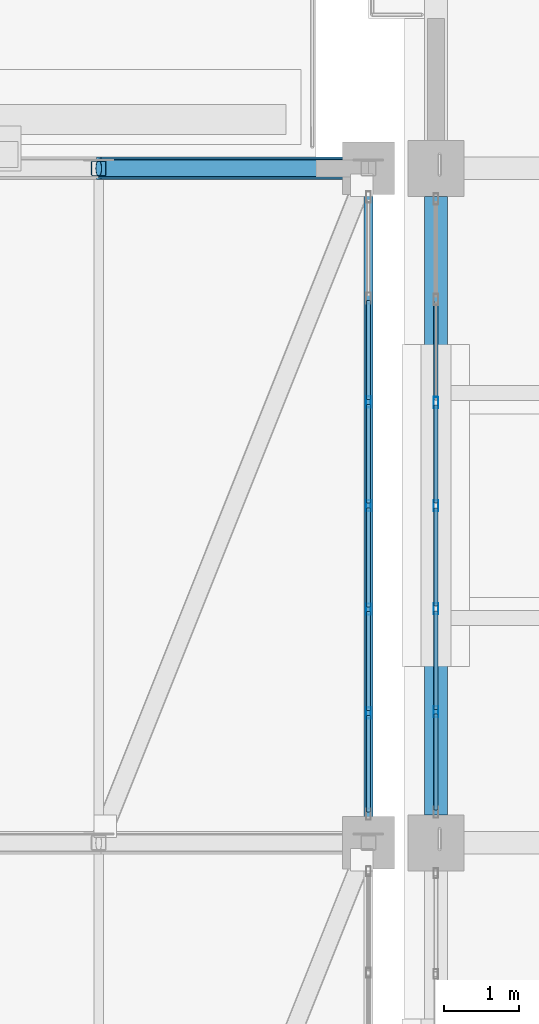
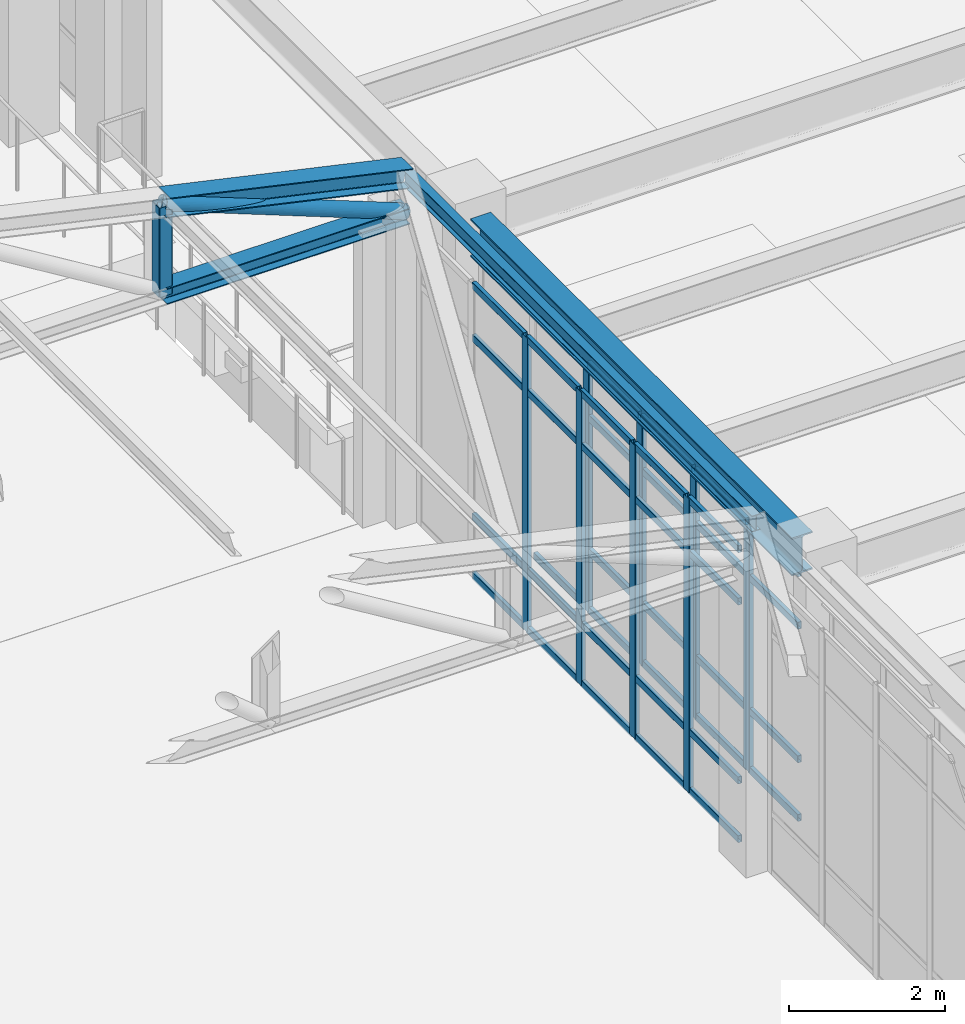
# One storey, part 63 of 139: 49 members, 2 beams, 2 elements without a shape of their own.
"""IFC4 building model written with IfcOpenShell, lengths in metres."""

from ifc_helpers import new_model, si_unit, direction, frame, origin, origin_2d, place, context, subcontext, project, spatial, hollow_rectangle, hollow_circle, i_section, extrude, material, material_profile, profile_set, type_object, element, aggregate, save


model = new_model("IFC4")

# Units and contexts
model_context = context("Model", 3, precision=1e-05, world=origin(), true_north=direction((0.0, 1.0)))
body_context = subcontext(model_context, "Body", "Model", "MODEL_VIEW")
ifc_project = project(units=[si_unit("LENGTHUNIT", "METRE"), si_unit("AREAUNIT", "SQUARE_METRE"), si_unit("VOLUMEUNIT", "CUBIC_METRE"), si_unit("PLANEANGLEUNIT", "RADIAN"), si_unit("MASSUNIT", "GRAM", prefix="KILO")], contexts=[model_context])

# Site, building, storey
site_placement = place(None, origin())
site = spatial("IfcSite", under=ifc_project, at=site_placement, CompositionType="ELEMENT")
building_placement = place(site_placement, origin())
building = spatial("IfcBuilding", under=site, at=building_placement, Name="Canglan Escarpment Cableway Terminal", CompositionType="ELEMENT")
storey_placement = place(building_placement, frame((0.0, 0.0, 14.39990234375)))
storey = spatial("IfcBuildingStorey", under=building, at=storey_placement, Name="L03", CompositionType="ELEMENT", Elevation=14.39990234375)

# Beams
ifc_material_1 = material(Name="Steel Q355C", Category="steel")
ifc_material_profile_1 = material_profile(ifc_material_1, i_section(OverallWidth=0.302001953125, OverallDepth=0.593994140625, WebThickness=0.013916015625, FlangeThickness=0.02294921875, FilletRadius=0.028076171875, at=origin_2d()), Name="HM 594x302x14x23")
ifc_profile_set_1 = profile_set([ifc_material_profile_1], Name="Steel Q355C")
beam_type_1 = type_object("IfcBeamType", Name="BM-HM594", PredefinedType="BEAM", material=ifc_profile_set_1)
beam_1_placement = place(storey_placement, frame((137.60009765625, 70.375, 4.203125), z_axis=(0.0, 1.0, 0.0), x_axis=(-1.0, 0.0, 0.0)))
element("IfcBeam", 1, at=beam_1_placement, inside=storey, type_object=beam_type_1, Name="Primary transverse girder B-07", PredefinedType="BEAM", context=body_context, shape_type="SweptSolid", body=[
    extrude(i_section(OverallWidth=0.302001953125, OverallDepth=0.593994140625, WebThickness=0.013916015625, FlangeThickness=0.02294921875, FilletRadius=0.028076171875, at=origin_2d()), origin(), (0.0, 0.0, 1.0), 8.25),
])
ifc_material_2 = material(Name="Steel Q355B", Category="steel")
ifc_material_profile_2 = material_profile(ifc_material_2, i_section(OverallWidth=0.300048828125, OverallDepth=0.300048828125, WebThickness=0.010009765625, FlangeThickness=0.014892578125, FilletRadius=0.01806640625, at=origin_2d()), Name="HW 300x300x10x15")
ifc_profile_set_2 = profile_set([ifc_material_profile_2], Name="Steel Q355B")
beam_type_2 = type_object("IfcBeamType", Name="BM-PRATT-TOP-HW300", PredefinedType="BEAM", material=ifc_profile_set_2)
beam_2_placement = place(storey_placement, frame((133.10009765625, 79.0, 6.050048828125), z_axis=(0.976182386713, 0.0, -0.216951487369), x_axis=(0.0, 1.0, 0.0)))
element("IfcBeam", 2, at=beam_2_placement, inside=storey, type_object=beam_type_2, Name="Cabin Garage ROOF TRUSS top chord PT-TC1", PredefinedType="BEAM", context=body_context, shape_type="SweptSolid", body=[
    extrude(i_section(OverallWidth=0.300048828125, OverallDepth=0.300048828125, WebThickness=0.010009765625, FlangeThickness=0.014892578125, FilletRadius=0.01806640625, at=origin_2d()), origin(), (0.0, 0.0, 1.0), 3.687744140625),
])

# Curtain wall, members
ifc_material_3 = material(Name="Anodized bronze aluminium and Low-E double glazing", Category="aluminium")
curtain_wall_type_1 = type_object("IfcCurtainWallType", Name="CW-BAY-8300x4600", PredefinedType="NOTDEFINED", material=ifc_material_3)
curtain_wall_1_placement = place(storey_placement, origin())
curtain_wall_1 = element("IfcCurtainWall", 3, at=curtain_wall_1_placement, inside=storey, type_object=curtain_wall_type_1, Name="Classical bay-between-piers glazed curtain wall CW-45", PredefinedType="NOTDEFINED")
ifc_material_4 = material(Name="Thermally broken anodized aluminium 6063-T6", Category="aluminium")
ifc_material_profile_3 = material_profile(ifc_material_4, hollow_rectangle(XDim=0.06494140625, YDim=0.14990234375, WallThickness=0.00341796875, InnerFilletRadius=0.00341796875, OuterFilletRadius=0.007080078125, at=origin_2d()), Name="ALU-MULL 65x150x3.5")
ifc_profile_set_3 = profile_set([ifc_material_profile_3], Name="Thermally broken anodized aluminium 6063-T6")
member_type_1 = type_object("IfcMemberType", Name="CWM-02", PredefinedType="MULLION", material=ifc_profile_set_3)
member_1_placement = place(storey_placement, frame((136.699951171875, 71.7333984375, 0.0), z_axis=(0.0, 0.0, 1.0), x_axis=(-1.0, 0.0, 0.0)))
member_1 = element("IfcMember", 4, at=member_1_placement, type_object=member_type_1, Name="CW-45 mullion 2", PredefinedType="MULLION", context=body_context, shape_type="SweptSolid", body=[
    extrude(hollow_rectangle(XDim=0.06494140625, YDim=0.14990234375, WallThickness=0.00341796875, InnerFilletRadius=0.00341796875, OuterFilletRadius=0.007080078125, at=origin_2d()), origin(), (0.0, 0.0, 1.0), 4.60009765625),
])
member_2_placement = place(storey_placement, frame((136.699951171875, 73.11669921875, 0.0), z_axis=(0.0, 0.0, 1.0), x_axis=(-1.0, 0.0, 0.0)))
member_2 = element("IfcMember", 5, at=member_2_placement, type_object=member_type_1, Name="CW-45 mullion 3", PredefinedType="MULLION", context=body_context, shape_type="SweptSolid", body=[
    extrude(hollow_rectangle(XDim=0.06494140625, YDim=0.14990234375, WallThickness=0.00341796875, InnerFilletRadius=0.00341796875, OuterFilletRadius=0.007080078125, at=origin_2d()), origin(), (0.0, 0.0, 1.0), 4.60009765625),
])
member_3_placement = place(storey_placement, frame((136.699951171875, 74.5, 0.0), z_axis=(0.0, 0.0, 1.0), x_axis=(-1.0, 0.0, 0.0)))
member_3 = element("IfcMember", 6, at=member_3_placement, type_object=member_type_1, Name="CW-45 mullion 4", PredefinedType="MULLION", context=body_context, shape_type="SweptSolid", body=[
    extrude(hollow_rectangle(XDim=0.06494140625, YDim=0.14990234375, WallThickness=0.00341796875, InnerFilletRadius=0.00341796875, OuterFilletRadius=0.007080078125, at=origin_2d()), origin(), (0.0, 0.0, 1.0), 4.60009765625),
])
member_4_placement = place(storey_placement, frame((136.699951171875, 75.88330078125, 0.0), z_axis=(0.0, 0.0, 1.0), x_axis=(-1.0, 0.0, 0.0)))
member_4 = element("IfcMember", 7, at=member_4_placement, type_object=member_type_1, Name="CW-45 mullion 5", PredefinedType="MULLION", context=body_context, shape_type="SweptSolid", body=[
    extrude(hollow_rectangle(XDim=0.06494140625, YDim=0.14990234375, WallThickness=0.00341796875, InnerFilletRadius=0.00341796875, OuterFilletRadius=0.007080078125, at=origin_2d()), origin(), (0.0, 0.0, 1.0), 4.60009765625),
])

curtain_wall_type_2 = type_object("IfcCurtainWallType", Name="CW-BAY-8250x3900", PredefinedType="NOTDEFINED", material=ifc_material_3)
curtain_wall_2_placement = place(storey_placement, origin())
curtain_wall_2 = element("IfcCurtainWall", 8, at=curtain_wall_2_placement, inside=storey, type_object=curtain_wall_type_2, Name="Classical bay-between-piers glazed curtain wall CW-62", PredefinedType="NOTDEFINED")
member_5_placement = place(storey_placement, frame((137.60009765625, 75.875, 0.0), z_axis=(0.0, 0.0, 1.0), x_axis=(1.0, 0.0, 0.0)))
member_5 = element("IfcMember", 9, at=member_5_placement, type_object=member_type_1, Name="CW-62 mullion 3", PredefinedType="MULLION", context=body_context, shape_type="SweptSolid", body=[
    extrude(hollow_rectangle(XDim=0.06494140625, YDim=0.14990234375, WallThickness=0.00341796875, InnerFilletRadius=0.00341796875, OuterFilletRadius=0.007080078125, at=origin_2d()), origin(), (0.0, 0.0, 1.0), 3.89111328125),
])
member_6_placement = place(storey_placement, frame((137.60009765625, 74.5, 0.0), z_axis=(0.0, 0.0, 1.0), x_axis=(1.0, 0.0, 0.0)))
member_6 = element("IfcMember", 10, at=member_6_placement, type_object=member_type_1, Name="CW-62 mullion 4", PredefinedType="MULLION", context=body_context, shape_type="SweptSolid", body=[
    extrude(hollow_rectangle(XDim=0.06494140625, YDim=0.14990234375, WallThickness=0.00341796875, InnerFilletRadius=0.00341796875, OuterFilletRadius=0.007080078125, at=origin_2d()), origin(), (0.0, 0.0, 1.0), 3.89111328125),
])
member_7_placement = place(storey_placement, frame((137.60009765625, 73.125, 0.0), z_axis=(0.0, 0.0, 1.0), x_axis=(1.0, 0.0, 0.0)))
member_7 = element("IfcMember", 11, at=member_7_placement, type_object=member_type_1, Name="CW-62 mullion 5", PredefinedType="MULLION", context=body_context, shape_type="SweptSolid", body=[
    extrude(hollow_rectangle(XDim=0.06494140625, YDim=0.14990234375, WallThickness=0.00341796875, InnerFilletRadius=0.00341796875, OuterFilletRadius=0.007080078125, at=origin_2d()), origin(), (0.0, 0.0, 1.0), 3.89111328125),
])
member_8_placement = place(storey_placement, frame((137.60009765625, 71.75, 0.0), z_axis=(0.0, 0.0, 1.0), x_axis=(1.0, 0.0, 0.0)))
member_8 = element("IfcMember", 12, at=member_8_placement, type_object=member_type_1, Name="CW-62 mullion 6", PredefinedType="MULLION", context=body_context, shape_type="SweptSolid", body=[
    extrude(hollow_rectangle(XDim=0.06494140625, YDim=0.14990234375, WallThickness=0.00341796875, InnerFilletRadius=0.00341796875, OuterFilletRadius=0.007080078125, at=origin_2d()), origin(), (0.0, 0.0, 1.0), 3.89111328125),
])

# Member
ifc_material_profile_4 = material_profile(ifc_material_4, hollow_rectangle(XDim=0.06005859375, YDim=0.110107421875, WallThickness=0.0029296875, InnerFilletRadius=0.0029296875, OuterFilletRadius=0.006103515625, at=origin_2d()), Name="ALU-TRAN 60x110x3")
ifc_profile_set_4 = profile_set([ifc_material_profile_4], Name="Thermally broken anodized aluminium 6063-T6")
member_type_2 = type_object("IfcMemberType", Name="CWT-02", PredefinedType="USERDEFINED", material=ifc_profile_set_4)
member_9_placement = place(storey_placement, frame((136.699951171875, 70.4150390625, 0.030029296875), z_axis=(0.0, 1.0, 0.0), x_axis=(-1.0, 0.0, 0.0)))
member_9 = element("IfcMember", 13, at=member_9_placement, type_object=member_type_2, Name="CW-45 transom 1.1", ObjectType="TRANSOM", PredefinedType="USERDEFINED", context=body_context, shape_type="SweptSolid", body=[
    extrude(hollow_rectangle(XDim=0.06005859375, YDim=0.110107421875, WallThickness=0.0029296875, InnerFilletRadius=0.0029296875, OuterFilletRadius=0.006103515625, at=origin_2d()), origin(), (0.0, 0.0, 1.0), 1.285888671875),
])

member_10_placement = place(storey_placement, frame((136.699951171875, 70.4150390625, 0.9501953125), z_axis=(0.0, 1.0, 0.0), x_axis=(-1.0, 0.0, 0.0)))
member_10 = element("IfcMember", 14, at=member_10_placement, type_object=member_type_2, Name="CW-45 transom 1.2", ObjectType="TRANSOM", PredefinedType="USERDEFINED", context=body_context, shape_type="SweptSolid", body=[
    extrude(hollow_rectangle(XDim=0.06005859375, YDim=0.110107421875, WallThickness=0.0029296875, InnerFilletRadius=0.0029296875, OuterFilletRadius=0.006103515625, at=origin_2d()), origin(), (0.0, 0.0, 1.0), 1.285888671875),
])

member_11_placement = place(storey_placement, frame((136.699951171875, 70.4150390625, 3.75), z_axis=(0.0, 1.0, 0.0), x_axis=(-1.0, 0.0, 0.0)))
member_11 = element("IfcMember", 15, at=member_11_placement, type_object=member_type_2, Name="CW-45 transom 1.3", ObjectType="TRANSOM", PredefinedType="USERDEFINED", context=body_context, shape_type="SweptSolid", body=[
    extrude(hollow_rectangle(XDim=0.06005859375, YDim=0.110107421875, WallThickness=0.0029296875, InnerFilletRadius=0.0029296875, OuterFilletRadius=0.006103515625, at=origin_2d()), origin(), (0.0, 0.0, 1.0), 1.285888671875),
])

member_12_placement = place(storey_placement, frame((136.699951171875, 70.4150390625, 4.570068359375), z_axis=(0.0, 1.0, 0.0), x_axis=(-1.0, 0.0, 0.0)))
member_12 = element("IfcMember", 16, at=member_12_placement, type_object=member_type_2, Name="CW-45 transom 1.4", ObjectType="TRANSOM", PredefinedType="USERDEFINED", context=body_context, shape_type="SweptSolid", body=[
    extrude(hollow_rectangle(XDim=0.06005859375, YDim=0.110107421875, WallThickness=0.0029296875, InnerFilletRadius=0.0029296875, OuterFilletRadius=0.006103515625, at=origin_2d()), origin(), (0.0, 0.0, 1.0), 1.285888671875),
])

member_13_placement = place(storey_placement, frame((136.699951171875, 71.765869140625, 0.030029296875), z_axis=(0.0, 1.0, 0.0), x_axis=(-1.0, 0.0, 0.0)))
member_13 = element("IfcMember", 17, at=member_13_placement, type_object=member_type_2, Name="CW-45 transom 2.1", ObjectType="TRANSOM", PredefinedType="USERDEFINED", context=body_context, shape_type="SweptSolid", body=[
    extrude(hollow_rectangle(XDim=0.06005859375, YDim=0.110107421875, WallThickness=0.0029296875, InnerFilletRadius=0.0029296875, OuterFilletRadius=0.006103515625, at=origin_2d()), origin(), (0.0, 0.0, 1.0), 1.318359375),
])

member_14_placement = place(storey_placement, frame((136.699951171875, 71.765869140625, 0.9501953125), z_axis=(0.0, 1.0, 0.0), x_axis=(-1.0, 0.0, 0.0)))
member_14 = element("IfcMember", 18, at=member_14_placement, type_object=member_type_2, Name="CW-45 transom 2.2", ObjectType="TRANSOM", PredefinedType="USERDEFINED", context=body_context, shape_type="SweptSolid", body=[
    extrude(hollow_rectangle(XDim=0.06005859375, YDim=0.110107421875, WallThickness=0.0029296875, InnerFilletRadius=0.0029296875, OuterFilletRadius=0.006103515625, at=origin_2d()), origin(), (0.0, 0.0, 1.0), 1.318359375),
])

member_15_placement = place(storey_placement, frame((136.699951171875, 71.765869140625, 3.75), z_axis=(0.0, 1.0, 0.0), x_axis=(-1.0, 0.0, 0.0)))
member_15 = element("IfcMember", 19, at=member_15_placement, type_object=member_type_2, Name="CW-45 transom 2.3", ObjectType="TRANSOM", PredefinedType="USERDEFINED", context=body_context, shape_type="SweptSolid", body=[
    extrude(hollow_rectangle(XDim=0.06005859375, YDim=0.110107421875, WallThickness=0.0029296875, InnerFilletRadius=0.0029296875, OuterFilletRadius=0.006103515625, at=origin_2d()), origin(), (0.0, 0.0, 1.0), 1.318359375),
])

member_16_placement = place(storey_placement, frame((136.699951171875, 71.765869140625, 4.570068359375), z_axis=(0.0, 1.0, 0.0), x_axis=(-1.0, 0.0, 0.0)))
member_16 = element("IfcMember", 20, at=member_16_placement, type_object=member_type_2, Name="CW-45 transom 2.4", ObjectType="TRANSOM", PredefinedType="USERDEFINED", context=body_context, shape_type="SweptSolid", body=[
    extrude(hollow_rectangle(XDim=0.06005859375, YDim=0.110107421875, WallThickness=0.0029296875, InnerFilletRadius=0.0029296875, OuterFilletRadius=0.006103515625, at=origin_2d()), origin(), (0.0, 0.0, 1.0), 1.318359375),
])

member_17_placement = place(storey_placement, frame((136.699951171875, 73.149169921875, 0.030029296875), z_axis=(0.0, 1.0, 0.0), x_axis=(-1.0, 0.0, 0.0)))
member_17 = element("IfcMember", 21, at=member_17_placement, type_object=member_type_2, Name="CW-45 transom 3.1", ObjectType="TRANSOM", PredefinedType="USERDEFINED", context=body_context, shape_type="SweptSolid", body=[
    extrude(hollow_rectangle(XDim=0.06005859375, YDim=0.110107421875, WallThickness=0.0029296875, InnerFilletRadius=0.0029296875, OuterFilletRadius=0.006103515625, at=origin_2d()), origin(), (0.0, 0.0, 1.0), 1.318359375),
])

member_18_placement = place(storey_placement, frame((136.699951171875, 73.149169921875, 0.9501953125), z_axis=(0.0, 1.0, 0.0), x_axis=(-1.0, 0.0, 0.0)))
member_18 = element("IfcMember", 22, at=member_18_placement, type_object=member_type_2, Name="CW-45 transom 3.2", ObjectType="TRANSOM", PredefinedType="USERDEFINED", context=body_context, shape_type="SweptSolid", body=[
    extrude(hollow_rectangle(XDim=0.06005859375, YDim=0.110107421875, WallThickness=0.0029296875, InnerFilletRadius=0.0029296875, OuterFilletRadius=0.006103515625, at=origin_2d()), origin(), (0.0, 0.0, 1.0), 1.318359375),
])

member_19_placement = place(storey_placement, frame((136.699951171875, 73.149169921875, 3.75), z_axis=(0.0, 1.0, 0.0), x_axis=(-1.0, 0.0, 0.0)))
member_19 = element("IfcMember", 23, at=member_19_placement, type_object=member_type_2, Name="CW-45 transom 3.3", ObjectType="TRANSOM", PredefinedType="USERDEFINED", context=body_context, shape_type="SweptSolid", body=[
    extrude(hollow_rectangle(XDim=0.06005859375, YDim=0.110107421875, WallThickness=0.0029296875, InnerFilletRadius=0.0029296875, OuterFilletRadius=0.006103515625, at=origin_2d()), origin(), (0.0, 0.0, 1.0), 1.318359375),
])

member_20_placement = place(storey_placement, frame((136.699951171875, 73.149169921875, 4.570068359375), z_axis=(0.0, 1.0, 0.0), x_axis=(-1.0, 0.0, 0.0)))
member_20 = element("IfcMember", 24, at=member_20_placement, type_object=member_type_2, Name="CW-45 transom 3.4", ObjectType="TRANSOM", PredefinedType="USERDEFINED", context=body_context, shape_type="SweptSolid", body=[
    extrude(hollow_rectangle(XDim=0.06005859375, YDim=0.110107421875, WallThickness=0.0029296875, InnerFilletRadius=0.0029296875, OuterFilletRadius=0.006103515625, at=origin_2d()), origin(), (0.0, 0.0, 1.0), 1.318359375),
])

member_21_placement = place(storey_placement, frame((136.699951171875, 74.532470703125, 0.030029296875), z_axis=(0.0, 1.0, 0.0), x_axis=(-1.0, 0.0, 0.0)))
member_21 = element("IfcMember", 25, at=member_21_placement, type_object=member_type_2, Name="CW-45 transom 4.1", ObjectType="TRANSOM", PredefinedType="USERDEFINED", context=body_context, shape_type="SweptSolid", body=[
    extrude(hollow_rectangle(XDim=0.06005859375, YDim=0.110107421875, WallThickness=0.0029296875, InnerFilletRadius=0.0029296875, OuterFilletRadius=0.006103515625, at=origin_2d()), origin(), (0.0, 0.0, 1.0), 1.318359375),
])

member_22_placement = place(storey_placement, frame((136.699951171875, 74.532470703125, 0.9501953125), z_axis=(0.0, 1.0, 0.0), x_axis=(-1.0, 0.0, 0.0)))
member_22 = element("IfcMember", 26, at=member_22_placement, type_object=member_type_2, Name="CW-45 transom 4.2", ObjectType="TRANSOM", PredefinedType="USERDEFINED", context=body_context, shape_type="SweptSolid", body=[
    extrude(hollow_rectangle(XDim=0.06005859375, YDim=0.110107421875, WallThickness=0.0029296875, InnerFilletRadius=0.0029296875, OuterFilletRadius=0.006103515625, at=origin_2d()), origin(), (0.0, 0.0, 1.0), 1.318359375),
])

member_23_placement = place(storey_placement, frame((136.699951171875, 74.532470703125, 3.75), z_axis=(0.0, 1.0, 0.0), x_axis=(-1.0, 0.0, 0.0)))
member_23 = element("IfcMember", 27, at=member_23_placement, type_object=member_type_2, Name="CW-45 transom 4.3", ObjectType="TRANSOM", PredefinedType="USERDEFINED", context=body_context, shape_type="SweptSolid", body=[
    extrude(hollow_rectangle(XDim=0.06005859375, YDim=0.110107421875, WallThickness=0.0029296875, InnerFilletRadius=0.0029296875, OuterFilletRadius=0.006103515625, at=origin_2d()), origin(), (0.0, 0.0, 1.0), 1.318359375),
])

member_24_placement = place(storey_placement, frame((136.699951171875, 74.532470703125, 4.570068359375), z_axis=(0.0, 1.0, 0.0), x_axis=(-1.0, 0.0, 0.0)))
member_24 = element("IfcMember", 28, at=member_24_placement, type_object=member_type_2, Name="CW-45 transom 4.4", ObjectType="TRANSOM", PredefinedType="USERDEFINED", context=body_context, shape_type="SweptSolid", body=[
    extrude(hollow_rectangle(XDim=0.06005859375, YDim=0.110107421875, WallThickness=0.0029296875, InnerFilletRadius=0.0029296875, OuterFilletRadius=0.006103515625, at=origin_2d()), origin(), (0.0, 0.0, 1.0), 1.318359375),
])

member_25_placement = place(storey_placement, frame((136.699951171875, 75.915771484375, 0.030029296875), z_axis=(0.0, 1.0, 0.0), x_axis=(-1.0, 0.0, 0.0)))
member_25 = element("IfcMember", 29, at=member_25_placement, type_object=member_type_2, Name="CW-45 transom 5.1", ObjectType="TRANSOM", PredefinedType="USERDEFINED", context=body_context, shape_type="SweptSolid", body=[
    extrude(hollow_rectangle(XDim=0.06005859375, YDim=0.110107421875, WallThickness=0.0029296875, InnerFilletRadius=0.0029296875, OuterFilletRadius=0.006103515625, at=origin_2d()), origin(), (0.0, 0.0, 1.0), 1.318359375),
])

member_26_placement = place(storey_placement, frame((136.699951171875, 75.915771484375, 0.9501953125), z_axis=(0.0, 1.0, 0.0), x_axis=(-1.0, 0.0, 0.0)))
member_26 = element("IfcMember", 30, at=member_26_placement, type_object=member_type_2, Name="CW-45 transom 5.2", ObjectType="TRANSOM", PredefinedType="USERDEFINED", context=body_context, shape_type="SweptSolid", body=[
    extrude(hollow_rectangle(XDim=0.06005859375, YDim=0.110107421875, WallThickness=0.0029296875, InnerFilletRadius=0.0029296875, OuterFilletRadius=0.006103515625, at=origin_2d()), origin(), (0.0, 0.0, 1.0), 1.318359375),
])

member_27_placement = place(storey_placement, frame((136.699951171875, 75.915771484375, 3.75), z_axis=(0.0, 1.0, 0.0), x_axis=(-1.0, 0.0, 0.0)))
member_27 = element("IfcMember", 31, at=member_27_placement, type_object=member_type_2, Name="CW-45 transom 5.3", ObjectType="TRANSOM", PredefinedType="USERDEFINED", context=body_context, shape_type="SweptSolid", body=[
    extrude(hollow_rectangle(XDim=0.06005859375, YDim=0.110107421875, WallThickness=0.0029296875, InnerFilletRadius=0.0029296875, OuterFilletRadius=0.006103515625, at=origin_2d()), origin(), (0.0, 0.0, 1.0), 1.318359375),
])

member_28_placement = place(storey_placement, frame((136.699951171875, 75.915771484375, 4.570068359375), z_axis=(0.0, 1.0, 0.0), x_axis=(-1.0, 0.0, 0.0)))
member_28 = element("IfcMember", 32, at=member_28_placement, type_object=member_type_2, Name="CW-45 transom 5.4", ObjectType="TRANSOM", PredefinedType="USERDEFINED", context=body_context, shape_type="SweptSolid", body=[
    extrude(hollow_rectangle(XDim=0.06005859375, YDim=0.110107421875, WallThickness=0.0029296875, InnerFilletRadius=0.0029296875, OuterFilletRadius=0.006103515625, at=origin_2d()), origin(), (0.0, 0.0, 1.0), 1.318359375),
])

aggregate(curtain_wall_1, [member_1, member_2, member_3, member_4, member_9, member_10, member_11, member_12, member_13, member_14, member_15, member_16, member_17, member_18, member_19, member_20, member_21, member_22, member_23, member_24, member_25, member_26, member_27, member_28])

member_29_placement = place(storey_placement, frame((137.60009765625, 77.217529296875, 0.030029296875), z_axis=(0.0, -1.0, 0.0), x_axis=(1.0, 0.0, 0.0)))
member_29 = element("IfcMember", 33, at=member_29_placement, type_object=member_type_2, Name="CW-62 transom 2.1", ObjectType="TRANSOM", PredefinedType="USERDEFINED", context=body_context, shape_type="SweptSolid", body=[
    extrude(hollow_rectangle(XDim=0.06005859375, YDim=0.110107421875, WallThickness=0.0029296875, InnerFilletRadius=0.0029296875, OuterFilletRadius=0.006103515625, at=origin_2d()), origin(), (0.0, 0.0, 1.0), 1.31005859375),
])

member_30_placement = place(storey_placement, frame((137.60009765625, 75.842529296875, 0.030029296875), z_axis=(0.0, -1.0, 0.0), x_axis=(1.0, 0.0, 0.0)))
member_30 = element("IfcMember", 34, at=member_30_placement, type_object=member_type_2, Name="CW-62 transom 3.1", ObjectType="TRANSOM", PredefinedType="USERDEFINED", context=body_context, shape_type="SweptSolid", body=[
    extrude(hollow_rectangle(XDim=0.06005859375, YDim=0.110107421875, WallThickness=0.0029296875, InnerFilletRadius=0.0029296875, OuterFilletRadius=0.006103515625, at=origin_2d()), origin(), (0.0, 0.0, 1.0), 1.31005859375),
])

member_31_placement = place(storey_placement, frame((137.60009765625, 75.842529296875, 0.9501953125), z_axis=(0.0, -1.0, 0.0), x_axis=(1.0, 0.0, 0.0)))
member_31 = element("IfcMember", 35, at=member_31_placement, type_object=member_type_2, Name="CW-62 transom 3.2", ObjectType="TRANSOM", PredefinedType="USERDEFINED", context=body_context, shape_type="SweptSolid", body=[
    extrude(hollow_rectangle(XDim=0.06005859375, YDim=0.110107421875, WallThickness=0.0029296875, InnerFilletRadius=0.0029296875, OuterFilletRadius=0.006103515625, at=origin_2d()), origin(), (0.0, 0.0, 1.0), 1.31005859375),
])

member_32_placement = place(storey_placement, frame((137.60009765625, 75.842529296875, 3.041015625), z_axis=(0.0, -1.0, 0.0), x_axis=(1.0, 0.0, 0.0)))
member_32 = element("IfcMember", 36, at=member_32_placement, type_object=member_type_2, Name="CW-62 transom 3.3", ObjectType="TRANSOM", PredefinedType="USERDEFINED", context=body_context, shape_type="SweptSolid", body=[
    extrude(hollow_rectangle(XDim=0.06005859375, YDim=0.110107421875, WallThickness=0.0029296875, InnerFilletRadius=0.0029296875, OuterFilletRadius=0.006103515625, at=origin_2d()), origin(), (0.0, 0.0, 1.0), 1.31005859375),
])

member_33_placement = place(storey_placement, frame((137.60009765625, 75.842529296875, 3.861083984375), z_axis=(0.0, -1.0, 0.0), x_axis=(1.0, 0.0, 0.0)))
member_33 = element("IfcMember", 37, at=member_33_placement, type_object=member_type_2, Name="CW-62 transom 3.4", ObjectType="TRANSOM", PredefinedType="USERDEFINED", context=body_context, shape_type="SweptSolid", body=[
    extrude(hollow_rectangle(XDim=0.06005859375, YDim=0.110107421875, WallThickness=0.0029296875, InnerFilletRadius=0.0029296875, OuterFilletRadius=0.006103515625, at=origin_2d()), origin(), (0.0, 0.0, 1.0), 1.31005859375),
])

member_34_placement = place(storey_placement, frame((137.60009765625, 74.467529296875, 0.030029296875), z_axis=(0.0, -1.0, 0.0), x_axis=(1.0, 0.0, 0.0)))
member_34 = element("IfcMember", 38, at=member_34_placement, type_object=member_type_2, Name="CW-62 transom 4.1", ObjectType="TRANSOM", PredefinedType="USERDEFINED", context=body_context, shape_type="SweptSolid", body=[
    extrude(hollow_rectangle(XDim=0.06005859375, YDim=0.110107421875, WallThickness=0.0029296875, InnerFilletRadius=0.0029296875, OuterFilletRadius=0.006103515625, at=origin_2d()), origin(), (0.0, 0.0, 1.0), 1.31005859375),
])

member_35_placement = place(storey_placement, frame((137.60009765625, 74.467529296875, 0.9501953125), z_axis=(0.0, -1.0, 0.0), x_axis=(1.0, 0.0, 0.0)))
member_35 = element("IfcMember", 39, at=member_35_placement, type_object=member_type_2, Name="CW-62 transom 4.2", ObjectType="TRANSOM", PredefinedType="USERDEFINED", context=body_context, shape_type="SweptSolid", body=[
    extrude(hollow_rectangle(XDim=0.06005859375, YDim=0.110107421875, WallThickness=0.0029296875, InnerFilletRadius=0.0029296875, OuterFilletRadius=0.006103515625, at=origin_2d()), origin(), (0.0, 0.0, 1.0), 1.31005859375),
])

member_36_placement = place(storey_placement, frame((137.60009765625, 74.467529296875, 3.041015625), z_axis=(0.0, -1.0, 0.0), x_axis=(1.0, 0.0, 0.0)))
member_36 = element("IfcMember", 40, at=member_36_placement, type_object=member_type_2, Name="CW-62 transom 4.3", ObjectType="TRANSOM", PredefinedType="USERDEFINED", context=body_context, shape_type="SweptSolid", body=[
    extrude(hollow_rectangle(XDim=0.06005859375, YDim=0.110107421875, WallThickness=0.0029296875, InnerFilletRadius=0.0029296875, OuterFilletRadius=0.006103515625, at=origin_2d()), origin(), (0.0, 0.0, 1.0), 1.31005859375),
])

member_37_placement = place(storey_placement, frame((137.60009765625, 74.467529296875, 3.861083984375), z_axis=(0.0, -1.0, 0.0), x_axis=(1.0, 0.0, 0.0)))
member_37 = element("IfcMember", 41, at=member_37_placement, type_object=member_type_2, Name="CW-62 transom 4.4", ObjectType="TRANSOM", PredefinedType="USERDEFINED", context=body_context, shape_type="SweptSolid", body=[
    extrude(hollow_rectangle(XDim=0.06005859375, YDim=0.110107421875, WallThickness=0.0029296875, InnerFilletRadius=0.0029296875, OuterFilletRadius=0.006103515625, at=origin_2d()), origin(), (0.0, 0.0, 1.0), 1.31005859375),
])

member_38_placement = place(storey_placement, frame((137.60009765625, 73.092529296875, 0.030029296875), z_axis=(0.0, -1.0, 0.0), x_axis=(1.0, 0.0, 0.0)))
member_38 = element("IfcMember", 42, at=member_38_placement, type_object=member_type_2, Name="CW-62 transom 5.1", ObjectType="TRANSOM", PredefinedType="USERDEFINED", context=body_context, shape_type="SweptSolid", body=[
    extrude(hollow_rectangle(XDim=0.06005859375, YDim=0.110107421875, WallThickness=0.0029296875, InnerFilletRadius=0.0029296875, OuterFilletRadius=0.006103515625, at=origin_2d()), origin(), (0.0, 0.0, 1.0), 1.31005859375),
])

member_39_placement = place(storey_placement, frame((137.60009765625, 73.092529296875, 0.9501953125), z_axis=(0.0, -1.0, 0.0), x_axis=(1.0, 0.0, 0.0)))
member_39 = element("IfcMember", 43, at=member_39_placement, type_object=member_type_2, Name="CW-62 transom 5.2", ObjectType="TRANSOM", PredefinedType="USERDEFINED", context=body_context, shape_type="SweptSolid", body=[
    extrude(hollow_rectangle(XDim=0.06005859375, YDim=0.110107421875, WallThickness=0.0029296875, InnerFilletRadius=0.0029296875, OuterFilletRadius=0.006103515625, at=origin_2d()), origin(), (0.0, 0.0, 1.0), 1.31005859375),
])

member_40_placement = place(storey_placement, frame((137.60009765625, 73.092529296875, 3.041015625), z_axis=(0.0, -1.0, 0.0), x_axis=(1.0, 0.0, 0.0)))
member_40 = element("IfcMember", 44, at=member_40_placement, type_object=member_type_2, Name="CW-62 transom 5.3", ObjectType="TRANSOM", PredefinedType="USERDEFINED", context=body_context, shape_type="SweptSolid", body=[
    extrude(hollow_rectangle(XDim=0.06005859375, YDim=0.110107421875, WallThickness=0.0029296875, InnerFilletRadius=0.0029296875, OuterFilletRadius=0.006103515625, at=origin_2d()), origin(), (0.0, 0.0, 1.0), 1.31005859375),
])

member_41_placement = place(storey_placement, frame((137.60009765625, 73.092529296875, 3.861083984375), z_axis=(0.0, -1.0, 0.0), x_axis=(1.0, 0.0, 0.0)))
member_41 = element("IfcMember", 45, at=member_41_placement, type_object=member_type_2, Name="CW-62 transom 5.4", ObjectType="TRANSOM", PredefinedType="USERDEFINED", context=body_context, shape_type="SweptSolid", body=[
    extrude(hollow_rectangle(XDim=0.06005859375, YDim=0.110107421875, WallThickness=0.0029296875, InnerFilletRadius=0.0029296875, OuterFilletRadius=0.006103515625, at=origin_2d()), origin(), (0.0, 0.0, 1.0), 1.31005859375),
])

member_42_placement = place(storey_placement, frame((137.60009765625, 71.717529296875, 0.030029296875), z_axis=(0.0, -1.0, 0.0), x_axis=(1.0, 0.0, 0.0)))
member_42 = element("IfcMember", 46, at=member_42_placement, type_object=member_type_2, Name="CW-62 transom 6.1", ObjectType="TRANSOM", PredefinedType="USERDEFINED", context=body_context, shape_type="SweptSolid", body=[
    extrude(hollow_rectangle(XDim=0.06005859375, YDim=0.110107421875, WallThickness=0.0029296875, InnerFilletRadius=0.0029296875, OuterFilletRadius=0.006103515625, at=origin_2d()), origin(), (0.0, 0.0, 1.0), 1.277587890625),
])

member_43_placement = place(storey_placement, frame((137.60009765625, 71.717529296875, 0.9501953125), z_axis=(0.0, -1.0, 0.0), x_axis=(1.0, 0.0, 0.0)))
member_43 = element("IfcMember", 47, at=member_43_placement, type_object=member_type_2, Name="CW-62 transom 6.2", ObjectType="TRANSOM", PredefinedType="USERDEFINED", context=body_context, shape_type="SweptSolid", body=[
    extrude(hollow_rectangle(XDim=0.06005859375, YDim=0.110107421875, WallThickness=0.0029296875, InnerFilletRadius=0.0029296875, OuterFilletRadius=0.006103515625, at=origin_2d()), origin(), (0.0, 0.0, 1.0), 1.277587890625),
])

member_44_placement = place(storey_placement, frame((137.60009765625, 71.717529296875, 3.041015625), z_axis=(0.0, -1.0, 0.0), x_axis=(1.0, 0.0, 0.0)))
member_44 = element("IfcMember", 48, at=member_44_placement, type_object=member_type_2, Name="CW-62 transom 6.3", ObjectType="TRANSOM", PredefinedType="USERDEFINED", context=body_context, shape_type="SweptSolid", body=[
    extrude(hollow_rectangle(XDim=0.06005859375, YDim=0.110107421875, WallThickness=0.0029296875, InnerFilletRadius=0.0029296875, OuterFilletRadius=0.006103515625, at=origin_2d()), origin(), (0.0, 0.0, 1.0), 1.277587890625),
])

member_45_placement = place(storey_placement, frame((137.60009765625, 71.717529296875, 3.861083984375), z_axis=(0.0, -1.0, 0.0), x_axis=(1.0, 0.0, 0.0)))
member_45 = element("IfcMember", 49, at=member_45_placement, type_object=member_type_2, Name="CW-62 transom 6.4", ObjectType="TRANSOM", PredefinedType="USERDEFINED", context=body_context, shape_type="SweptSolid", body=[
    extrude(hollow_rectangle(XDim=0.06005859375, YDim=0.110107421875, WallThickness=0.0029296875, InnerFilletRadius=0.0029296875, OuterFilletRadius=0.006103515625, at=origin_2d()), origin(), (0.0, 0.0, 1.0), 1.277587890625),
])

aggregate(curtain_wall_2, [member_5, member_6, member_7, member_8, member_29, member_30, member_31, member_32, member_33, member_34, member_35, member_36, member_37, member_38, member_39, member_40, member_41, member_42, member_43, member_44, member_45])

# Members
ifc_material_profile_5 = material_profile(ifc_material_2, i_section(OverallWidth=0.125, OverallDepth=0.25, WebThickness=0.006103515625, FlangeThickness=0.009033203125, FilletRadius=0.011962890625, at=origin_2d()), Name="HN 250x125x6x9")
ifc_profile_set_5 = profile_set([ifc_material_profile_5], Name="Steel Q355B")
member_type_3 = type_object("IfcMemberType", Name="MB-GARAGE-PUR-HN250", PredefinedType="PURLIN", material=ifc_profile_set_5)
member_46_placement = place(storey_placement, frame((136.699951171875, 70.0, 5.22998046875), z_axis=(0.0, 1.0, 0.0), x_axis=(-1.0, 0.0, 0.0)))
element("IfcMember", 50, at=member_46_placement, inside=storey, type_object=member_type_3, Name="Cabin Garage roof purlin PR-02", PredefinedType="PURLIN", context=body_context, shape_type="SweptSolid", body=[
    extrude(i_section(OverallWidth=0.125, OverallDepth=0.25, WebThickness=0.006103515625, FlangeThickness=0.009033203125, FilletRadius=0.011962890625, at=origin_2d()), origin(), (0.0, 0.0, 1.0), 9.0),
])
ifc_material_profile_6 = material_profile(ifc_material_2, i_section(OverallWidth=0.25, OverallDepth=0.25, WebThickness=0.009033203125, FlangeThickness=0.013916015625, FilletRadius=0.01611328125, at=origin_2d()), Name="HW 250x250x9x14")
ifc_profile_set_6 = profile_set([ifc_material_profile_6], Name="Steel Q355B")
member_type_4 = type_object("IfcMemberType", Name="MB-PRATT-BOT-HW250", PredefinedType="CHORD", material=ifc_profile_set_6)
member_47_placement = place(storey_placement, frame((133.10009765625, 79.0, 4.650146484375), z_axis=(1.0, 0.0, 0.0), x_axis=(0.0, 1.0, 0.0)))
element("IfcMember", 51, at=member_47_placement, inside=storey, type_object=member_type_4, Name="Cabin Garage ROOF TRUSS bottom chord PT-BC1", PredefinedType="CHORD", context=body_context, shape_type="SweptSolid", body=[
    extrude(i_section(OverallWidth=0.25, OverallDepth=0.25, WebThickness=0.009033203125, FlangeThickness=0.013916015625, FilletRadius=0.01611328125, at=origin_2d()), origin(), (0.0, 0.0, 1.0), 3.599853515625),
])
ifc_material_profile_7 = material_profile(ifc_material_2, hollow_circle(Radius=0.109619140625, WallThickness=0.008056640625, at=origin_2d()), Name="CHS 219.1x8")
ifc_profile_set_7 = profile_set([ifc_material_profile_7], Name="Steel Q355B")
member_type_5 = type_object("IfcMemberType", Name="MB-PRATT-DIAG-CHS219", PredefinedType="BRACE", material=ifc_profile_set_7)
member_48_placement = place(storey_placement, frame((133.10009765625, 79.0, 6.050048828125), z_axis=(0.932008230148, 0.0, -0.36243711032), x_axis=(0.0, 1.0, 0.0)))
element("IfcMember", 52, at=member_48_placement, inside=storey, type_object=member_type_5, Name="Cabin Garage ROOF TRUSS diagonal PT-DG1", PredefinedType="BRACE", context=body_context, shape_type="SweptSolid", body=[
    extrude(hollow_circle(Radius=0.109619140625, WallThickness=0.008056640625, at=origin_2d()), origin(), (0.0, 0.0, 1.0), 3.862548828125),
])
ifc_material_profile_8 = material_profile(ifc_material_2, hollow_rectangle(XDim=0.199951171875, YDim=0.199951171875, WallThickness=0.008056640625, InnerFilletRadius=0.008056640625, OuterFilletRadius=0.01611328125, at=origin_2d()), Name="SHS 200x200x8")
ifc_profile_set_8 = profile_set([ifc_material_profile_8], Name="Steel Q355B")
member_type_6 = type_object("IfcMemberType", Name="MB-PRATT-WEB-SHS200", PredefinedType="BRACE", material=ifc_profile_set_8)
member_49_placement = place(storey_placement, frame((133.10009765625, 79.0, 4.650146484375), z_axis=(0.0, 0.0, 1.0), x_axis=(1.0, 0.0, 0.0)))
element("IfcMember", 53, at=member_49_placement, inside=storey, type_object=member_type_6, Name="Cabin Garage ROOF TRUSS strut PT-WB1", PredefinedType="BRACE", context=body_context, shape_type="SweptSolid", body=[
    extrude(hollow_rectangle(XDim=0.199951171875, YDim=0.199951171875, WallThickness=0.008056640625, InnerFilletRadius=0.008056640625, OuterFilletRadius=0.01611328125, at=origin_2d()), origin(), (0.0, 0.0, 1.0), 1.39990234375),
])

save(model, "model.ifc")
